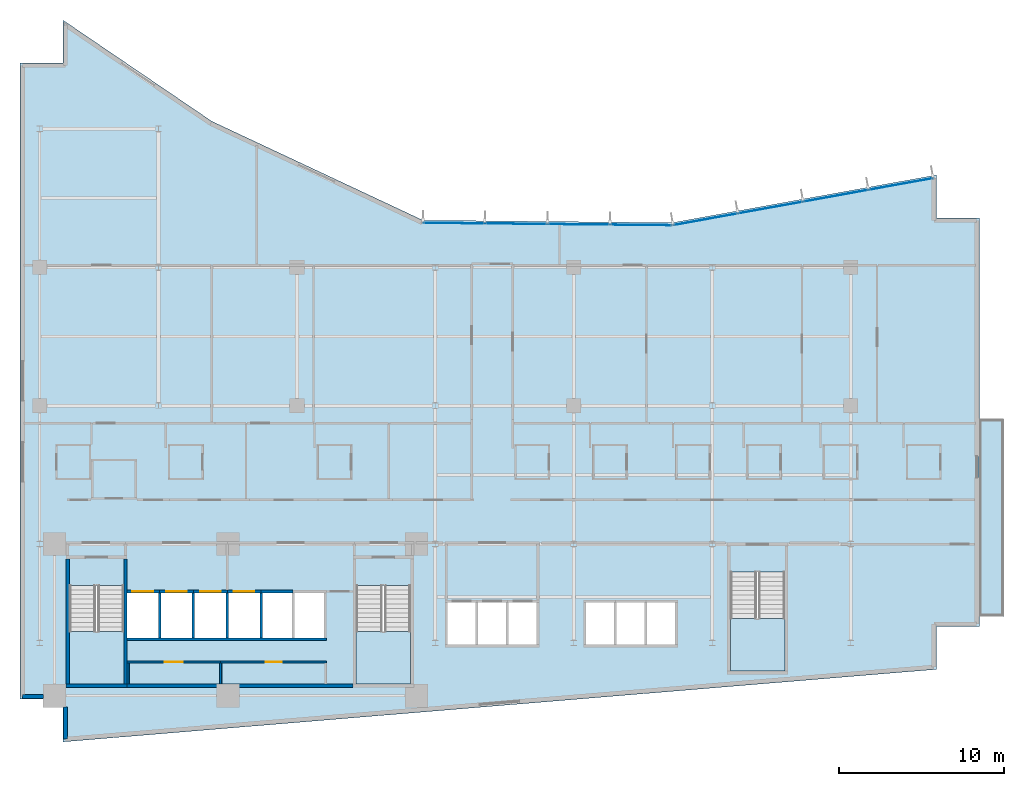
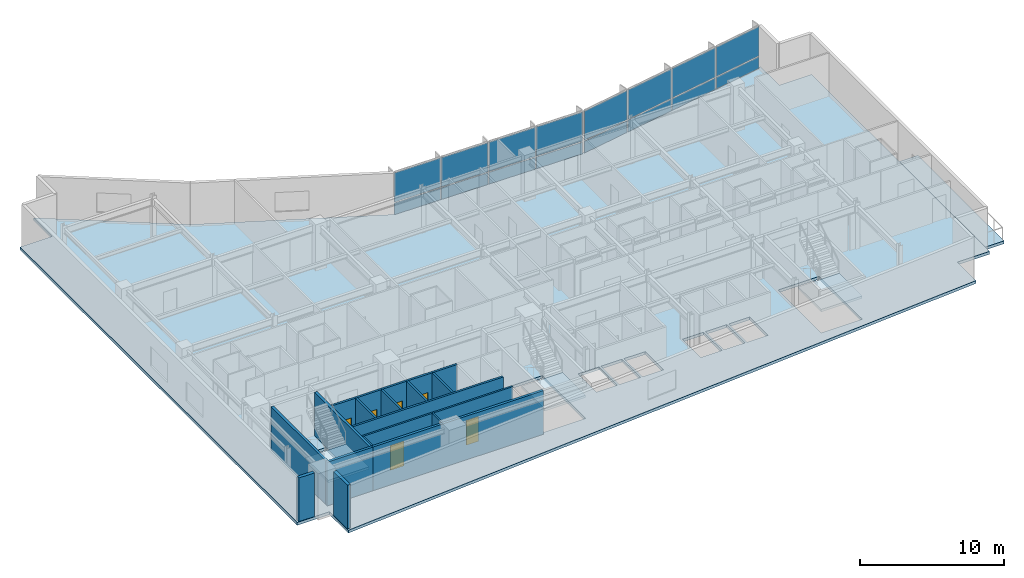
# One storey, part 9 of 19: 20 walls, 16 plates, 6 doors, 5 slabs, 6 openings, 5 elements without a shape of their own.
"""IFC4 building model written with IfcOpenShell, lengths in metres."""

from ifc_helpers import new_model, si_unit, direction, frame, frame_2d, origin, origin_2d, place, context, subcontext, project, spatial, polyline, rectangle, outline, extrude, material, layer, layer_set, type_object, element, fill, aggregate, save


model = new_model("IFC4")

# Units and contexts
model_context = context("Model", 3, precision=1e-05, world=origin(), true_north=direction((0.0, 1.0)))
body_context = subcontext(model_context, "Body", "Model", "MODEL_VIEW")
ifc_project = project(units=[si_unit("LENGTHUNIT", "METRE"), si_unit("AREAUNIT", "SQUARE_METRE"), si_unit("VOLUMEUNIT", "CUBIC_METRE"), si_unit("PLANEANGLEUNIT", "RADIAN"), si_unit("MASSUNIT", "GRAM", prefix="KILO")], contexts=[model_context])

# Site, building, storey
site_placement = place(None, origin())
site = spatial("IfcSite", under=ifc_project, at=site_placement, CompositionType="ELEMENT")
building_placement = place(site_placement, origin())
building = spatial("IfcBuilding", under=site, at=building_placement, Name="Varnakote Quay Hospital", CompositionType="ELEMENT")
storey_placement = place(building_placement, frame((0.0, 0.0, 50.14990234375)))
storey = spatial("IfcBuildingStorey", under=building, at=storey_placement, Name="L12", CompositionType="ELEMENT", Elevation=50.14990234375)

# Curtain wall, plates
ifc_material_1 = material(Name="Anodised aluminium 6063-T6 Bronze", Category="aluminium")
ifc_layer_1 = layer(ifc_material_1, 0.18994140625)
ifc_layer_set_1 = layer_set([ifc_layer_1], Name="Anodised aluminium 6063-T6 Bronze")
curtain_wall_type = type_object("IfcCurtainWallType", Name="CW-SYS-2", PredefinedType="NOTDEFINED", material=ifc_layer_set_1)
curtain_wall_1_placement = place(storey_placement, origin())
curtain_wall_1 = element("IfcCurtainWall", 1, at=curtain_wall_1_placement, inside=storey, type_object=curtain_wall_type, Name="L12 Unitised Bronze Curtain Wall 1", PredefinedType="NOTDEFINED")
ifc_material_2 = material(Name="Double-glazed acoustic laminated glass", Category="glass")
ifc_layer_2 = layer(ifc_material_2, 0.031982421875)
ifc_layer_set_2 = layer_set([ifc_layer_2], Name="Double-glazed acoustic laminated glass")
plate_type = type_object("IfcPlateType", Name="CW-PNL-GLZ-32", PredefinedType="CURTAIN_PANEL", material=ifc_layer_set_2)
plate_1_placement = place(storey_placement, frame((53.440185546875, 33.84716796875, 0.0751953125), z_axis=(0.0, 0.0, 1.0), x_axis=(-0.984058295766, -0.177846199098, 0.0)))
plate_1 = element("IfcPlate", 2, at=plate_1_placement, type_object=plate_type, Name="-2-L12-1 panel 1.1", PredefinedType="CURTAIN_PANEL", context=body_context, shape_type="SweptSolid", body=[
    extrude(rectangle(XDim=3.914306640625, YDim=0.031982421875, at=origin_2d()), origin(), (0.0, 0.0, 1.0), 0.987548828125),
])
plate_2_placement = place(storey_placement, frame((53.440185546875, 33.84716796875, 1.137451171875), z_axis=(0.0, 0.0, 1.0), x_axis=(-0.984058295766, -0.177846199098, 0.0)))
plate_2 = element("IfcPlate", 3, at=plate_2_placement, type_object=plate_type, Name="-2-L12-1 panel 1.2", PredefinedType="CURTAIN_PANEL", context=body_context, shape_type="SweptSolid", body=[
    extrude(rectangle(XDim=3.914306640625, YDim=0.031982421875, at=origin_2d()), origin(), (0.0, 0.0, 1.0), 2.49755859375),
])
plate_3_placement = place(storey_placement, frame((49.49609375, 33.13427734375, 0.0751953125), z_axis=(0.0, 0.0, 1.0), x_axis=(-0.984058295766, -0.177846199098, 0.0)))
plate_3 = element("IfcPlate", 4, at=plate_3_placement, type_object=plate_type, Name="-2-L12-1 panel 2.1", PredefinedType="CURTAIN_PANEL", context=body_context, shape_type="SweptSolid", body=[
    extrude(rectangle(XDim=3.951904296875, YDim=0.031982421875, at=origin_2d()), origin(), (0.0, 0.0, 1.0), 0.987548828125),
])
plate_4_placement = place(storey_placement, frame((49.49609375, 33.13427734375, 1.137451171875), z_axis=(0.0, 0.0, 1.0), x_axis=(-0.984058295766, -0.177846199098, 0.0)))
plate_4 = element("IfcPlate", 5, at=plate_4_placement, type_object=plate_type, Name="-2-L12-1 panel 2.2", PredefinedType="CURTAIN_PANEL", context=body_context, shape_type="SweptSolid", body=[
    extrude(rectangle(XDim=3.951904296875, YDim=0.031982421875, at=origin_2d()), origin(), (0.0, 0.0, 1.0), 2.49755859375),
])
plate_5_placement = place(storey_placement, frame((45.533447265625, 32.418212890625, 0.0751953125), z_axis=(0.0, 0.0, 1.0), x_axis=(-0.984058295766, -0.177846199098, 0.0)))
plate_5 = element("IfcPlate", 6, at=plate_5_placement, type_object=plate_type, Name="-2-L12-1 panel 3.1", PredefinedType="CURTAIN_PANEL", context=body_context, shape_type="SweptSolid", body=[
    extrude(rectangle(XDim=3.951904296875, YDim=0.031982421875, at=origin_2d()), origin(), (0.0, 0.0, 1.0), 0.987548828125),
])
plate_6_placement = place(storey_placement, frame((45.533447265625, 32.418212890625, 1.137451171875), z_axis=(0.0, 0.0, 1.0), x_axis=(-0.984058295766, -0.177846199098, 0.0)))
plate_6 = element("IfcPlate", 7, at=plate_6_placement, type_object=plate_type, Name="-2-L12-1 panel 3.2", PredefinedType="CURTAIN_PANEL", context=body_context, shape_type="SweptSolid", body=[
    extrude(rectangle(XDim=3.951904296875, YDim=0.031982421875, at=origin_2d()), origin(), (0.0, 0.0, 1.0), 2.49755859375),
])
plate_7_placement = place(storey_placement, frame((41.58935546875, 31.705322265625, 0.0751953125), z_axis=(0.0, 0.0, 1.0), x_axis=(-0.984058295766, -0.177846199098, 0.0)))
plate_7 = element("IfcPlate", 8, at=plate_7_placement, type_object=plate_type, Name="-2-L12-1 panel 4.1", PredefinedType="CURTAIN_PANEL", context=body_context, shape_type="SweptSolid", body=[
    extrude(rectangle(XDim=3.914306640625, YDim=0.031982421875, at=origin_2d()), origin(), (0.0, 0.0, 1.0), 0.987548828125),
])
plate_8_placement = place(storey_placement, frame((41.58935546875, 31.705322265625, 1.137451171875), z_axis=(0.0, 0.0, 1.0), x_axis=(-0.984058295766, -0.177846199098, 0.0)))
plate_8 = element("IfcPlate", 9, at=plate_8_placement, type_object=plate_type, Name="-2-L12-1 panel 4.2", PredefinedType="CURTAIN_PANEL", context=body_context, shape_type="SweptSolid", body=[
    extrude(rectangle(XDim=3.914306640625, YDim=0.031982421875, at=origin_2d()), origin(), (0.0, 0.0, 1.0), 2.49755859375),
])
aggregate(curtain_wall_1, [plate_1, plate_2, plate_3, plate_4, plate_5, plate_6, plate_7, plate_8])

curtain_wall_2_placement = place(storey_placement, origin())
curtain_wall_2 = element("IfcCurtainWall", 10, at=curtain_wall_2_placement, inside=storey, type_object=curtain_wall_type, Name="L12 Unitised Bronze Curtain Wall 2", PredefinedType="NOTDEFINED")
plate_9_placement = place(storey_placement, frame((37.673095703125, 31.362548828125, 0.0751953125), z_axis=(0.0, 0.0, 1.0), x_axis=(-0.999952230718, 0.009774266312, 0.0)))
plate_9 = element("IfcPlate", 11, at=plate_9_placement, type_object=plate_type, Name="-2-L12-2 panel 1.1", PredefinedType="CURTAIN_PANEL", context=body_context, shape_type="SweptSolid", body=[
    extrude(rectangle(XDim=3.68310546875, YDim=0.031982421875, at=origin_2d()), origin(), (0.0, 0.0, 1.0), 0.987548828125),
])
plate_10_placement = place(storey_placement, frame((37.673095703125, 31.362548828125, 1.137451171875), z_axis=(0.0, 0.0, 1.0), x_axis=(-0.999952230718, 0.009774266312, 0.0)))
plate_10 = element("IfcPlate", 12, at=plate_10_placement, type_object=plate_type, Name="-2-L12-2 panel 1.2", PredefinedType="CURTAIN_PANEL", context=body_context, shape_type="SweptSolid", body=[
    extrude(rectangle(XDim=3.68310546875, YDim=0.031982421875, at=origin_2d()), origin(), (0.0, 0.0, 1.0), 2.49755859375),
])
plate_11_placement = place(storey_placement, frame((33.896240234375, 31.399658203125, 0.0751953125), z_axis=(0.0, 0.0, 1.0), x_axis=(-0.999952230718, 0.009774266312, 0.0)))
plate_11 = element("IfcPlate", 13, at=plate_11_placement, type_object=plate_type, Name="-2-L12-2 panel 2.1", PredefinedType="CURTAIN_PANEL", context=body_context, shape_type="SweptSolid", body=[
    extrude(rectangle(XDim=3.720703125, YDim=0.031982421875, at=origin_2d()), origin(), (0.0, 0.0, 1.0), 0.987548828125),
])
plate_12_placement = place(storey_placement, frame((33.896240234375, 31.399658203125, 1.137451171875), z_axis=(0.0, 0.0, 1.0), x_axis=(-0.999952230718, 0.009774266312, 0.0)))
plate_12 = element("IfcPlate", 14, at=plate_12_placement, type_object=plate_type, Name="-2-L12-2 panel 2.2", PredefinedType="CURTAIN_PANEL", context=body_context, shape_type="SweptSolid", body=[
    extrude(rectangle(XDim=3.720703125, YDim=0.031982421875, at=origin_2d()), origin(), (0.0, 0.0, 1.0), 2.49755859375),
])
plate_13_placement = place(storey_placement, frame((30.100830078125, 31.436767578125, 0.0751953125), z_axis=(0.0, 0.0, 1.0), x_axis=(-0.999952230718, 0.009774266312, 0.0)))
plate_13 = element("IfcPlate", 15, at=plate_13_placement, type_object=plate_type, Name="-2-L12-2 panel 3.1", PredefinedType="CURTAIN_PANEL", context=body_context, shape_type="SweptSolid", body=[
    extrude(rectangle(XDim=3.720703125, YDim=0.031982421875, at=origin_2d()), origin(), (0.0, 0.0, 1.0), 0.987548828125),
])
plate_14_placement = place(storey_placement, frame((30.100830078125, 31.436767578125, 1.137451171875), z_axis=(0.0, 0.0, 1.0), x_axis=(-0.999952230718, 0.009774266312, 0.0)))
plate_14 = element("IfcPlate", 16, at=plate_14_placement, type_object=plate_type, Name="-2-L12-2 panel 3.2", PredefinedType="CURTAIN_PANEL", context=body_context, shape_type="SweptSolid", body=[
    extrude(rectangle(XDim=3.720703125, YDim=0.031982421875, at=origin_2d()), origin(), (0.0, 0.0, 1.0), 2.49755859375),
])
plate_15_placement = place(storey_placement, frame((26.32421875, 31.4736328125, 0.0751953125), z_axis=(0.0, 0.0, 1.0), x_axis=(-0.999952230718, 0.009774266312, 0.0)))
plate_15 = element("IfcPlate", 17, at=plate_15_placement, type_object=plate_type, Name="-2-L12-2 panel 4.1", PredefinedType="CURTAIN_PANEL", context=body_context, shape_type="SweptSolid", body=[
    extrude(rectangle(XDim=3.68310546875, YDim=0.031982421875, at=origin_2d()), origin(), (0.0, 0.0, 1.0), 0.987548828125),
])
plate_16_placement = place(storey_placement, frame((26.32421875, 31.4736328125, 1.137451171875), z_axis=(0.0, 0.0, 1.0), x_axis=(-0.999952230718, 0.009774266312, 0.0)))
plate_16 = element("IfcPlate", 18, at=plate_16_placement, type_object=plate_type, Name="-2-L12-2 panel 4.2", PredefinedType="CURTAIN_PANEL", context=body_context, shape_type="SweptSolid", body=[
    extrude(rectangle(XDim=3.68310546875, YDim=0.031982421875, at=origin_2d()), origin(), (0.0, 0.0, 1.0), 2.49755859375),
])
aggregate(curtain_wall_2, [plate_9, plate_10, plate_11, plate_12, plate_13, plate_14, plate_15, plate_16])

# Stair, slab
ifc_material_3 = material(Name="Concrete N40 (f'c 40 MPa)", Category="concrete")
stair_type = type_object("IfcStairType", Name="STR-CORE-1580", PredefinedType="HALF_TURN_STAIR", material=ifc_material_3)
stair_1_placement = place(storey_placement, origin())
stair_1 = element("IfcStair", 19, at=stair_1_placement, inside=storey, type_object=stair_type, Name="L12 Fire-Isolated Exit Stair ST-01", PredefinedType="HALF_TURN_STAIR")
ifc_material_4 = material(Name="Concrete N40 (f'c 40 MPa)", Category="concrete")
ifc_layer_3 = layer(ifc_material_4, 0.199951171875)
ifc_layer_set_3 = layer_set([ifc_layer_3], Name="Concrete N40 (f'c 40 MPa)")
slab_type_1 = type_object("IfcSlabType", Name="SLB-STAIR-LND-200", PredefinedType="LANDING", material=ifc_layer_set_3)
slab_1_placement = place(storey_placement, frame((0.0, 0.0, 1.775146484375)))
slab_1 = element("IfcSlab", 20, at=slab_1_placement, type_object=slab_type_1, Name="ST-01 landing 1", PredefinedType="LANDING", context=body_context, shape_type="SweptSolid", body=[
    extrude(outline(polyline([(3.0, 6.699951171875), (3.0, 3.5), (6.300048828125, 3.5), (6.300048828125, 6.699951171875), (3.0, 6.699951171875)])), origin(), (0.0, 0.0, 1.0), 0.199951171875),
])
aggregate(stair_1, [slab_1])

stair_2_placement = place(storey_placement, origin())
stair_2 = element("IfcStair", 21, at=stair_2_placement, inside=storey, type_object=stair_type, Name="L12 Fire-Isolated Exit Stair ST-02", PredefinedType="HALF_TURN_STAIR")
slab_2_placement = place(storey_placement, frame((0.0, 0.0, 1.775146484375)))
slab_2 = element("IfcSlab", 22, at=slab_2_placement, type_object=slab_type_1, Name="ST-02 landing 1", PredefinedType="LANDING", context=body_context, shape_type="SweptSolid", body=[
    extrude(outline(polyline([(20.39990234375, 6.699951171875), (20.39990234375, 3.5), (23.699951171875, 3.5), (23.699951171875, 6.699951171875), (20.39990234375, 6.699951171875)])), origin(), (0.0, 0.0, 1.0), 0.199951171875),
])
aggregate(stair_2, [slab_2])

stair_3_placement = place(storey_placement, origin())
stair_3 = element("IfcStair", 23, at=stair_3_placement, inside=storey, type_object=stair_type, Name="L12 Fire-Isolated Exit Stair ST-03", PredefinedType="HALF_TURN_STAIR")
slab_3_placement = place(storey_placement, frame((0.0, 0.0, 1.775146484375)))
slab_3 = element("IfcSlab", 24, at=slab_3_placement, type_object=slab_type_1, Name="ST-03 landing 1", PredefinedType="LANDING", context=body_context, shape_type="SweptSolid", body=[
    extrude(outline(polyline([(43.10009765625, 7.5), (43.10009765625, 4.300048828125), (46.39990234375, 4.300048828125), (46.39990234375, 7.5), (43.10009765625, 7.5)])), origin(), (0.0, 0.0, 1.0), 0.199951171875),
])
aggregate(stair_3, [slab_3])

# Slabs
ifc_material_5 = material(Name="Concrete N50 (f'c 50 MPa)", Category="concrete")
ifc_layer_4 = layer(ifc_material_5, 0.239990234375)
ifc_layer_set_4 = layer_set([ifc_layer_4], Name="Concrete N50 (f'c 50 MPa)")
slab_type_2 = type_object("IfcSlabType", Name="SLB-TERR-200", PredefinedType="FLOOR", material=ifc_layer_set_4)
slab_4_placement = place(storey_placement, frame((0.0, 0.0, -0.239990234375)))
element("IfcSlab", 25, at=slab_4_placement, inside=storey, type_object=slab_type_2, Name="L12 Waterfront Healing Terrace Slab", PredefinedType="FLOOR", context=body_context, shape_type="SweptSolid", body=[
    extrude(outline(polyline([(58.196044921875, 19.60009765625), (58.196044921875, 7.60009765625), (59.699951171875, 7.60009765625), (59.699951171875, 19.60009765625), (58.196044921875, 19.60009765625)])), origin(), (0.0, 0.0, 1.0), 0.239990234375),
])
ifc_material_6 = material(Name="Concrete N50 (f'c 50 MPa)", Category="concrete")
ifc_layer_5 = layer(ifc_material_6, 0.239990234375)
ifc_layer_set_5 = layer_set([ifc_layer_5], Name="Concrete N50 (f'c 50 MPa)")
slab_type_3 = type_object("IfcSlabType", Name="SLB-WARD-200", PredefinedType="FLOOR", material=ifc_layer_set_5)
slab_5_placement = place(storey_placement, frame((0.0, 0.0, -0.239990234375)))
element("IfcSlab", 26, at=slab_5_placement, inside=storey, type_object=slab_type_3, Name="L12 Primary Floor Slab", PredefinedType="FLOOR", context=body_context, shape_type="SweptSolid", body=[
    extrude(outline(polyline([(0.0, 2.60009765625), (2.60009765625, 2.60009765625), (2.60009765625, 0.0), (55.60009765625, 4.39990234375), (55.60009765625, 7.0), (58.199951171875, 7.0), (58.199951171875, 31.800048828125), (55.60009765625, 31.800048828125), (55.60009765625, 34.39990234375), (39.575927734375, 31.50390625), (24.444091796875, 31.652099609375), (11.639892578125, 37.656005859375), (2.60009765625, 43.800048828125), (2.60009765625, 41.199951171875), (0.0, 41.199951171875), (0.0, 2.60009765625)]), holes=[polyline([(3.0, 3.5), (6.300048828125, 3.5), (6.300048828125, 9.49951171875), (3.0, 9.49951171875), (3.0, 3.5)]), polyline([(20.39990234375, 3.5), (23.699951171875, 3.5), (23.699951171875, 9.49951171875), (20.39990234375, 9.49951171875), (20.39990234375, 3.5)]), polyline([(43.10009765625, 4.300048828125), (46.39990234375, 4.300048828125), (46.39990234375, 10.29931640625), (43.10009765625, 10.29931640625), (43.10009765625, 4.300048828125)]), polyline([(6.5, 6.300048828125), (8.39990234375, 6.300048828125), (8.39990234375, 9.050048828125), (6.5, 9.050048828125), (6.5, 6.300048828125)]), polyline([(8.550048828125, 6.300048828125), (10.449951171875, 6.300048828125), (10.449951171875, 9.050048828125), (8.550048828125, 9.050048828125), (8.550048828125, 6.300048828125)]), polyline([(10.60009765625, 6.300048828125), (12.5, 6.300048828125), (12.5, 9.050048828125), (10.60009765625, 9.050048828125), (10.60009765625, 6.300048828125)]), polyline([(12.64990234375, 6.300048828125), (14.550048828125, 6.300048828125), (14.550048828125, 9.050048828125), (12.64990234375, 9.050048828125), (12.64990234375, 6.300048828125)]), polyline([(14.699951171875, 6.300048828125), (16.5, 6.300048828125), (16.5, 9.050048828125), (14.699951171875, 9.050048828125), (14.699951171875, 6.300048828125)]), polyline([(16.64990234375, 6.300048828125), (18.449951171875, 6.300048828125), (18.449951171875, 9.050048828125), (16.64990234375, 9.050048828125), (16.64990234375, 6.300048828125)]), polyline([(25.949951171875, 5.89990234375), (27.64990234375, 5.89990234375), (27.64990234375, 8.449951171875), (25.949951171875, 8.449951171875), (25.949951171875, 5.89990234375)]), polyline([(27.800048828125, 5.89990234375), (29.5, 5.89990234375), (29.5, 8.449951171875), (27.800048828125, 8.449951171875), (27.800048828125, 5.89990234375)]), polyline([(29.64990234375, 5.89990234375), (31.35009765625, 5.89990234375), (31.35009765625, 8.449951171875), (29.64990234375, 8.449951171875), (29.64990234375, 5.89990234375)]), polyline([(34.35009765625, 5.89990234375), (36.050048828125, 5.89990234375), (36.050048828125, 8.449951171875), (34.35009765625, 8.449951171875), (34.35009765625, 5.89990234375)]), polyline([(36.199951171875, 5.89990234375), (37.89990234375, 5.89990234375), (37.89990234375, 8.449951171875), (36.199951171875, 8.449951171875), (36.199951171875, 5.89990234375)]), polyline([(38.050048828125, 5.89990234375), (39.75, 5.89990234375), (39.75, 8.449951171875), (38.050048828125, 8.449951171875), (38.050048828125, 5.89990234375)])]), origin(), (0.0, 0.0, 1.0), 0.239990234375),
])

# Walls
ifc_material_7 = material(Name="Concrete N80 (f'c 80 MPa)", Category="concrete")
ifc_layer_6 = layer(ifc_material_7, 0.199951171875)
ifc_layer_set_6 = layer_set([ifc_layer_6], Name="Concrete N80 (f'c 80 MPa)")
wall_type_1 = type_object("IfcWallType", Name="WL-CORE-N80-200", PredefinedType="SHEAR", material=ifc_layer_set_6)
wall_1_placement = place(storey_placement, frame((6.5, 3.39990234375, 0.0), z_axis=(0.0, 0.0, 1.0), x_axis=(1.0, 0.0, 0.0)))
element("IfcWall", 27, at=wall_1_placement, inside=storey, type_object=wall_type_1, Name="L12 Rear Core South Shear Wall", PredefinedType="SHEAR", context=body_context, shape_type="SweptSolid", body=[
    extrude(rectangle(XDim=13.699951171875, YDim=0.199951171875, at=frame_2d((6.85009765625, 0.0))), origin(), (0.0, 0.0, 1.0), 3.710205078125),
])
ifc_material_8 = material(Name="Precast concrete N50 (f'c 50 MPa)", Category="concrete")
ifc_layer_7 = layer(ifc_material_8, 0.260009765625)
ifc_layer_set_7 = layer_set([ifc_layer_7], Name="Precast concrete N50 (f'c 50 MPa)")
wall_type_2 = type_object("IfcWallType", Name="WL-EXT-BRICK-260", PredefinedType="STANDARD", material=ifc_layer_set_7)
wall_2_placement = place(storey_placement, frame((2.760009765625, 2.114990234375, 0.0), z_axis=(0.0, 0.0, 1.0), x_axis=(0.0, -1.0, 0.0)))
element("IfcWall", 28, at=wall_2_placement, inside=storey, type_object=wall_type_2, Name="L12 Brick-Faced Precast Exterior Wall", PredefinedType="STANDARD", context=body_context, shape_type="SweptSolid", body=[
    extrude(rectangle(XDim=1.941162109375, YDim=0.260009765625, at=frame_2d((0.970703125, 0.0))), origin(), (0.0, 0.0, 1.0), 3.710205078125),
])
wall_3_placement = place(storey_placement, frame((0.159912109375, 2.760009765625, 0.0), z_axis=(0.0, 0.0, 1.0), x_axis=(1.0, 0.0, 0.0)))
element("IfcWall", 29, at=wall_3_placement, inside=storey, type_object=wall_type_2, Name="L12 Brick-Faced Precast Exterior Wall", PredefinedType="STANDARD", context=body_context, shape_type="SweptSolid", body=[
    extrude(rectangle(XDim=1.255126953125, YDim=0.260009765625, at=frame_2d((0.62744140625, 0.0))), origin(), (0.0, 0.0, 1.0), 3.710205078125),
])
ifc_material_9 = material(Name="Concrete N50 (f'c 50 MPa)", Category="concrete")
ifc_layer_8 = layer(ifc_material_9, 0.14990234375)
ifc_layer_set_8 = layer_set([ifc_layer_8], Name="Concrete N50 (f'c 50 MPa)")
wall_type_3 = type_object("IfcWallType", Name="WL-SHAFT-N50-150", PredefinedType="SHEAR", material=ifc_layer_set_8)
for number, where, z_axis, x_axis, name in (
    (30, (8.47509765625, 6.300048828125, 0.0), (0.0, 0.0, 1.0), (0.0, 1.0, 0.0), "L12 LF-FF1 Hoistway Divider Wall"),
    (31, (10.52490234375, 6.300048828125, 0.0), (0.0, 0.0, 1.0), (0.0, 1.0, 0.0), "L12 LF-FF2 Hoistway Divider Wall"),
    (32, (12.574951171875, 6.300048828125, 0.0), (0.0, 0.0, 1.0), (0.0, 1.0, 0.0), "L12 LF-SV1 Hoistway Divider Wall"),
    (33, (14.625, 6.300048828125, 0.0), (0.0, 0.0, 1.0), (0.0, 1.0, 0.0), "L12 LF-SV2 Hoistway Divider Wall"),
):
    element("IfcWall", number, at=place(storey_placement, frame(where, z_axis=z_axis, x_axis=x_axis)), inside=storey, type_object=wall_type_3, Name=name, PredefinedType="SHEAR", context=body_context, shape_type="SweptSolid", body=[
        extrude(rectangle(XDim=2.75, YDim=0.14990234375, at=frame_2d((1.375, 0.0))), origin(), (0.0, 0.0, 1.0), 3.710205078125),
    ])
ifc_material_10 = material(Name="Concrete N50 (f'c 50 MPa)", Category="concrete")
ifc_layer_9 = layer(ifc_material_10, 0.159912109375)
ifc_layer_set_9 = layer_set([ifc_layer_9], Name="Concrete N50 (f'c 50 MPa)")
wall_type_4 = type_object("IfcWallType", Name="WL-SHAFT-N50-160", PredefinedType="SHEAR", material=ifc_layer_set_9)
wall_4_placement = place(storey_placement, frame((6.5, 6.219970703125, 0.0), z_axis=(0.0, 0.0, 1.0), x_axis=(1.0, 0.0, 0.0)))
element("IfcWall", 34, at=wall_4_placement, inside=storey, type_object=wall_type_4, Name="L12 REAR Lift Bank Back Shear Wall", PredefinedType="SHEAR", context=body_context, shape_type="SweptSolid", body=[
    extrude(rectangle(XDim=12.110107421875, YDim=0.159912109375, at=frame_2d((6.05517578125, 0.0))), origin(), (0.0, 0.0, 1.0), 3.710205078125),
])

# Wall, opening, door
wall_5_placement = place(storey_placement, frame((6.5, 9.1298828125, 0.0), z_axis=(0.0, 0.0, 1.0), x_axis=(1.0, 0.0, 0.0)))
wall_5 = element("IfcWall", 35, at=wall_5_placement, inside=storey, type_object=wall_type_4, Name="L12 LF-FF1 Hoistway Front Wall", PredefinedType="SHEAR", context=body_context, shape_type="SweptSolid", body=[
    extrude(rectangle(XDim=1.97509765625, YDim=0.159912109375, at=frame_2d((0.987548828125, 0.0))), origin(), (0.0, 0.0, 1.0), 3.710205078125),
])
opening_1_placement = place(wall_5_placement, frame((0.324951171875, 0.0, 0.0)))
opening_1 = element("IfcOpeningElement", 36, at=opening_1_placement, cuts=wall_5, Name="Opening LD-FF1-L12", PredefinedType="OPENING", context=body_context, shape_type="SweptSolid", body=[
    extrude(rectangle(XDim=1.25, YDim=2.14990234375, at=frame_2d((0.625, 1.074951171875))), frame((0.0, 0.08984375, 0.0), z_axis=(0.0, -1.0, 0.0), x_axis=(1.0, 0.0, 0.0)), (0.0, 0.0, 1.0), 0.179931640625),
])
ifc_material_11 = material(Name="Stainless steel lift landing sliding door", Category="steel")
door_type_1 = type_object("IfcDoorType", Name="DR-LIFT-LD-1250x2150", OperationType="NOTDEFINED", PredefinedType="DOOR", material=ifc_material_11)
door_1_placement = place(opening_1_placement, origin())
door_1 = element("IfcDoor", 37, at=door_1_placement, inside=storey, type_object=door_type_1, Name="L12 LF-FF1 Lift Landing Sliding Door", OperationType="SLIDING_TO_LEFT", OverallHeight=2.14990234375, OverallWidth=1.25, PredefinedType="DOOR", context=body_context, shape_type="SweptSolid", body=[
    extrude(rectangle(XDim=1.25, YDim=2.14990234375, at=frame_2d((0.625, 1.074951171875))), frame((0.0, 0.02490234375, 0.0), z_axis=(0.0, -1.0, 0.0), x_axis=(1.0, 0.0, 0.0)), (0.0, 0.0, 1.0), 0.050048828125),
])
fill(opening_1, door_1)

wall_6_placement = place(storey_placement, frame((8.47509765625, 9.1298828125, 0.0), z_axis=(0.0, 0.0, 1.0), x_axis=(1.0, 0.0, 0.0)))
wall_6 = element("IfcWall", 38, at=wall_6_placement, inside=storey, type_object=wall_type_4, Name="L12 LF-FF2 Hoistway Front Wall", PredefinedType="SHEAR", context=body_context, shape_type="SweptSolid", body=[
    extrude(rectangle(XDim=2.0498046875, YDim=0.159912109375, at=frame_2d((1.02490234375, 0.0))), origin(), (0.0, 0.0, 1.0), 3.710205078125),
])
opening_2_placement = place(wall_6_placement, frame((0.39990234375, 0.0, 0.0)))
opening_2 = element("IfcOpeningElement", 39, at=opening_2_placement, cuts=wall_6, Name="Opening LD-FF2-L12", PredefinedType="OPENING", context=body_context, shape_type="SweptSolid", body=[
    extrude(rectangle(XDim=1.25, YDim=2.14990234375, at=frame_2d((0.625, 1.074951171875))), frame((0.0, 0.08984375, 0.0), z_axis=(0.0, -1.0, 0.0), x_axis=(1.0, 0.0, 0.0)), (0.0, 0.0, 1.0), 0.179931640625),
])
door_2_placement = place(opening_2_placement, origin())
door_2 = element("IfcDoor", 40, at=door_2_placement, inside=storey, type_object=door_type_1, Name="L12 LF-FF2 Lift Landing Sliding Door", OperationType="SLIDING_TO_LEFT", OverallHeight=2.14990234375, OverallWidth=1.25, PredefinedType="DOOR", context=body_context, shape_type="SweptSolid", body=[
    extrude(rectangle(XDim=1.25, YDim=2.14990234375, at=frame_2d((0.625, 1.074951171875))), frame((0.0, 0.02490234375, 0.0), z_axis=(0.0, -1.0, 0.0), x_axis=(1.0, 0.0, 0.0)), (0.0, 0.0, 1.0), 0.050048828125),
])
fill(opening_2, door_2)

wall_7_placement = place(storey_placement, frame((10.52490234375, 9.1298828125, 0.0), z_axis=(0.0, 0.0, 1.0), x_axis=(1.0, 0.0, 0.0)))
wall_7 = element("IfcWall", 41, at=wall_7_placement, inside=storey, type_object=wall_type_4, Name="L12 LF-SV1 Hoistway Front Wall", PredefinedType="SHEAR", context=body_context, shape_type="SweptSolid", body=[
    extrude(rectangle(XDim=2.050048828125, YDim=0.159912109375, at=frame_2d((1.02490234375, 0.0))), origin(), (0.0, 0.0, 1.0), 3.710205078125),
])
opening_3_placement = place(wall_7_placement, frame((0.39990234375, 0.0, 0.0)))
opening_3 = element("IfcOpeningElement", 42, at=opening_3_placement, cuts=wall_7, Name="Opening LD-SV1-L12", PredefinedType="OPENING", context=body_context, shape_type="SweptSolid", body=[
    extrude(rectangle(XDim=1.25, YDim=2.14990234375, at=frame_2d((0.625, 1.074951171875))), frame((0.0, 0.08984375, 0.0), z_axis=(0.0, -1.0, 0.0), x_axis=(1.0, 0.0, 0.0)), (0.0, 0.0, 1.0), 0.179931640625),
])
door_3_placement = place(opening_3_placement, origin())
door_3 = element("IfcDoor", 43, at=door_3_placement, inside=storey, type_object=door_type_1, Name="L12 LF-SV1 Lift Landing Sliding Door", OperationType="SLIDING_TO_LEFT", OverallHeight=2.14990234375, OverallWidth=1.25, PredefinedType="DOOR", context=body_context, shape_type="SweptSolid", body=[
    extrude(rectangle(XDim=1.25, YDim=2.14990234375, at=frame_2d((0.625, 1.074951171875))), frame((0.0, 0.02490234375, 0.0), z_axis=(0.0, -1.0, 0.0), x_axis=(1.0, 0.0, 0.0)), (0.0, 0.0, 1.0), 0.050048828125),
])
fill(opening_3, door_3)

wall_8_placement = place(storey_placement, frame((12.574951171875, 9.1298828125, 0.0), z_axis=(0.0, 0.0, 1.0), x_axis=(1.0, 0.0, 0.0)))
wall_8 = element("IfcWall", 44, at=wall_8_placement, inside=storey, type_object=wall_type_4, Name="L12 LF-SV2 Hoistway Front Wall", PredefinedType="SHEAR", context=body_context, shape_type="SweptSolid", body=[
    extrude(rectangle(XDim=2.050048828125, YDim=0.159912109375, at=frame_2d((1.02490234375, 0.0))), origin(), (0.0, 0.0, 1.0), 3.710205078125),
])
opening_4_placement = place(wall_8_placement, frame((0.39990234375, 0.0, 0.0)))
opening_4 = element("IfcOpeningElement", 45, at=opening_4_placement, cuts=wall_8, Name="Opening LD-SV2-L12", PredefinedType="OPENING", context=body_context, shape_type="SweptSolid", body=[
    extrude(rectangle(XDim=1.25, YDim=2.14990234375, at=frame_2d((0.625, 1.074951171875))), frame((0.0, 0.08984375, 0.0), z_axis=(0.0, -1.0, 0.0), x_axis=(1.0, 0.0, 0.0)), (0.0, 0.0, 1.0), 0.179931640625),
])
door_4_placement = place(opening_4_placement, origin())
door_4 = element("IfcDoor", 46, at=door_4_placement, inside=storey, type_object=door_type_1, Name="L12 LF-SV2 Lift Landing Sliding Door", OperationType="SLIDING_TO_LEFT", OverallHeight=2.14990234375, OverallWidth=1.25, PredefinedType="DOOR", context=body_context, shape_type="SweptSolid", body=[
    extrude(rectangle(XDim=1.25, YDim=2.14990234375, at=frame_2d((0.625, 1.074951171875))), frame((0.0, 0.02490234375, 0.0), z_axis=(0.0, -1.0, 0.0), x_axis=(1.0, 0.0, 0.0)), (0.0, 0.0, 1.0), 0.050048828125),
])
fill(opening_4, door_4)

# Walls
wall_9_placement = place(storey_placement, frame((14.625, 9.1298828125, 0.0), z_axis=(0.0, 0.0, 1.0), x_axis=(1.0, 0.0, 0.0)))
element("IfcWall", 47, at=wall_9_placement, inside=storey, type_object=wall_type_4, Name="L12 LF-PH1 Hoistway Front Wall", PredefinedType="SHEAR", context=body_context, shape_type="SweptSolid", body=[
    extrude(rectangle(XDim=1.949951171875, YDim=0.159912109375, at=frame_2d((0.97509765625, 0.0))), origin(), (0.0, 0.0, 1.0), 3.710205078125),
])
ifc_material_12 = material(Name="Concrete N50 (f'c 50 MPa)", Category="concrete")
ifc_layer_10 = layer(ifc_material_12, 0.199951171875)
ifc_layer_set_10 = layer_set([ifc_layer_10], Name="Concrete N50 (f'c 50 MPa)")
wall_type_5 = type_object("IfcWallType", Name="WL-SHAFT-N50-200", PredefinedType="SHEAR", material=ifc_layer_set_10)
wall_10_placement = place(storey_placement, frame((2.800048828125, 3.39990234375, 0.0), z_axis=(0.0, 0.0, 1.0), x_axis=(1.0, 0.0, 0.0)))
element("IfcWall", 48, at=wall_10_placement, inside=storey, type_object=wall_type_5, Name="L12 Stair ST1 South Shaft Wall", PredefinedType="SHEAR", context=body_context, shape_type="SweptSolid", body=[
    extrude(rectangle(XDim=3.699951171875, YDim=0.199951171875, at=frame_2d((1.85009765625, 0.0))), origin(), (0.0, 0.0, 1.0), 3.710205078125),
])
for number, where, z_axis, x_axis, name in (
    (49, (2.89990234375, 3.5, 0.0), (0.0, 0.0, 1.0), (0.0, 1.0, 0.0), "L12 Stair ST1 West Shaft Wall"),
    (50, (6.39990234375, 3.5, 0.0), (0.0, 0.0, 1.0), (0.0, 1.0, 0.0), "L12 Stair ST1 East Shaft Wall"),
):
    element("IfcWall", number, at=place(storey_placement, frame(where, z_axis=z_axis, x_axis=x_axis)), inside=storey, type_object=wall_type_5, Name=name, PredefinedType="SHEAR", context=body_context, shape_type="SweptSolid", body=[
        extrude(rectangle(XDim=7.60009765625, YDim=0.199951171875, at=frame_2d((3.800048828125, 0.0))), origin(), (0.0, 0.0, 1.0), 3.710205078125),
    ])
ifc_material_13 = material(Name="Smoke-proof clinical partition", Category="gypsum")
ifc_layer_11 = layer(ifc_material_13, 0.1201171875)
ifc_layer_set_11 = layer_set([ifc_layer_11], Name="Smoke-proof clinical partition")
wall_type_6 = type_object("IfcWallType", Name="WL-SMOKE-120", PredefinedType="PARTITIONING", material=ifc_layer_set_11)
for number, where, z_axis, x_axis, name in (
    (51, (6.56005859375, 3.52001953125, 0.0), (0.0, 0.0, 1.0), (0.0, 1.0, 0.0), "L12 Core South Service West Wall"),
    (52, (12.169921875, 3.52001953125, 0.0), (0.0, 0.0, 1.0), (0.0, 1.0, 0.0), "L12 Core South Service Divider"),
):
    element("IfcWall", number, at=place(storey_placement, frame(where, z_axis=z_axis, x_axis=x_axis)), inside=storey, type_object=wall_type_6, Name=name, PredefinedType="PARTITIONING", context=body_context, shape_type="SweptSolid", body=[
        extrude(rectangle(XDim=1.260009765625, YDim=0.1201171875, at=frame_2d((0.6298828125, 0.0))), origin(), (0.0, 0.0, 1.0), 3.710205078125),
    ])

# Wall, opening, door
ifc_material_14 = material(Name="Fire-rated clinical gypsum partition", Category="gypsum")
ifc_layer_12 = layer(ifc_material_14, 0.139892578125)
ifc_layer_set_12 = layer_set([ifc_layer_12], Name="Fire-rated clinical gypsum partition")
wall_type_7 = type_object("IfcWallType", Name="WL-WARD-140", PredefinedType="PARTITIONING", material=ifc_layer_set_12)
wall_11_placement = place(storey_placement, frame((6.5, 4.85009765625, 0.0), z_axis=(0.0, 0.0, 1.0), x_axis=(1.0, 0.0, 0.0)))
wall_11 = element("IfcWall", 53, at=wall_11_placement, inside=storey, type_object=wall_type_7, Name="L12 Core Clean Linen Store North Wall", PredefinedType="PARTITIONING", context=body_context, shape_type="SweptSolid", body=[
    extrude(rectangle(XDim=5.669921875, YDim=0.139892578125, at=frame_2d((2.8349609375, 0.0))), origin(), (0.0, 0.0, 1.0), 3.710205078125),
])
opening_5_placement = place(wall_11_placement, frame((2.284912109375, 0.0, 0.0)))
opening_5 = element("IfcOpeningElement", 54, at=opening_5_placement, cuts=wall_11, Name="Opening D-L12-CR01", PredefinedType="OPENING", context=body_context, shape_type="SweptSolid", body=[
    extrude(rectangle(XDim=1.10009765625, YDim=2.10009765625, at=frame_2d((0.550048828125, 1.050048828125))), frame((0.0, 0.079833984375, 0.0), z_axis=(0.0, -1.0, 0.0), x_axis=(1.0, 0.0, 0.0)), (0.0, 0.0, 1.0), 0.159912109375),
])
ifc_material_15 = material(Name="Acoustic timber clinical consult door", Category="wood")
door_type_2 = type_object("IfcDoorType", Name="DR-CLIN-FD30S-1100x2100", OperationType="NOTDEFINED", PredefinedType="DOOR", material=ifc_material_15)
door_5_placement = place(opening_5_placement, origin())
door_5 = element("IfcDoor", 55, at=door_5_placement, inside=storey, type_object=door_type_2, Name="L12 Core Clean Linen Store Door", OperationType="SINGLE_SWING_LEFT", OverallHeight=2.10009765625, OverallWidth=1.10009765625, PredefinedType="DOOR", context=body_context, shape_type="SweptSolid", body=[
    extrude(rectangle(XDim=1.10009765625, YDim=2.10009765625, at=frame_2d((0.550048828125, 1.050048828125))), frame((0.0, 0.02490234375, 0.0), z_axis=(0.0, -1.0, 0.0), x_axis=(1.0, 0.0, 0.0)), (0.0, 0.0, 1.0), 0.050048828125),
])
fill(opening_5, door_5)

wall_12_placement = place(storey_placement, frame((12.169921875, 4.85009765625, 0.0), z_axis=(0.0, 0.0, 1.0), x_axis=(1.0, 0.0, 0.0)))
wall_12 = element("IfcWall", 56, at=wall_12_placement, inside=storey, type_object=wall_type_7, Name="L12 Core Staff Sanitary WC North Wall", PredefinedType="PARTITIONING", context=body_context, shape_type="SweptSolid", body=[
    extrude(rectangle(XDim=6.43017578125, YDim=0.139892578125, at=frame_2d((3.215087890625, 0.0))), origin(), (0.0, 0.0, 1.0), 3.710205078125),
])
opening_6_placement = place(wall_12_placement, frame((2.72509765625, 0.0, 0.0)))
opening_6 = element("IfcOpeningElement", 57, at=opening_6_placement, cuts=wall_12, Name="Opening D-L12-CR02", PredefinedType="OPENING", context=body_context, shape_type="SweptSolid", body=[
    extrude(rectangle(XDim=0.97998046875, YDim=2.10009765625, at=frame_2d((0.489990234375, 1.050048828125))), frame((0.0, 0.079833984375, 0.0), z_axis=(0.0, -1.0, 0.0), x_axis=(1.0, 0.0, 0.0)), (0.0, 0.0, 1.0), 0.159912109375),
])
ifc_material_16 = material(Name="Accessible sanitary compartment door")
door_type_3 = type_object("IfcDoorType", Name="DR-WC-980x2100", OperationType="NOTDEFINED", PredefinedType="DOOR", material=ifc_material_16)
door_6_placement = place(opening_6_placement, origin())
door_6 = element("IfcDoor", 58, at=door_6_placement, inside=storey, type_object=door_type_3, Name="L12 Core Staff Sanitary WC Door", OperationType="SINGLE_SWING_RIGHT", OverallHeight=2.10009765625, OverallWidth=0.97998046875, PredefinedType="DOOR", context=body_context, shape_type="SweptSolid", body=[
    extrude(rectangle(XDim=0.97998046875, YDim=2.10009765625, at=frame_2d((0.489990234375, 1.050048828125))), frame((0.0, 0.02490234375, 0.0), z_axis=(0.0, -1.0, 0.0), x_axis=(1.0, 0.0, 0.0)), (0.0, 0.0, 1.0), 0.050048828125),
])
fill(opening_6, door_6)

save(model, "model.ifc")
